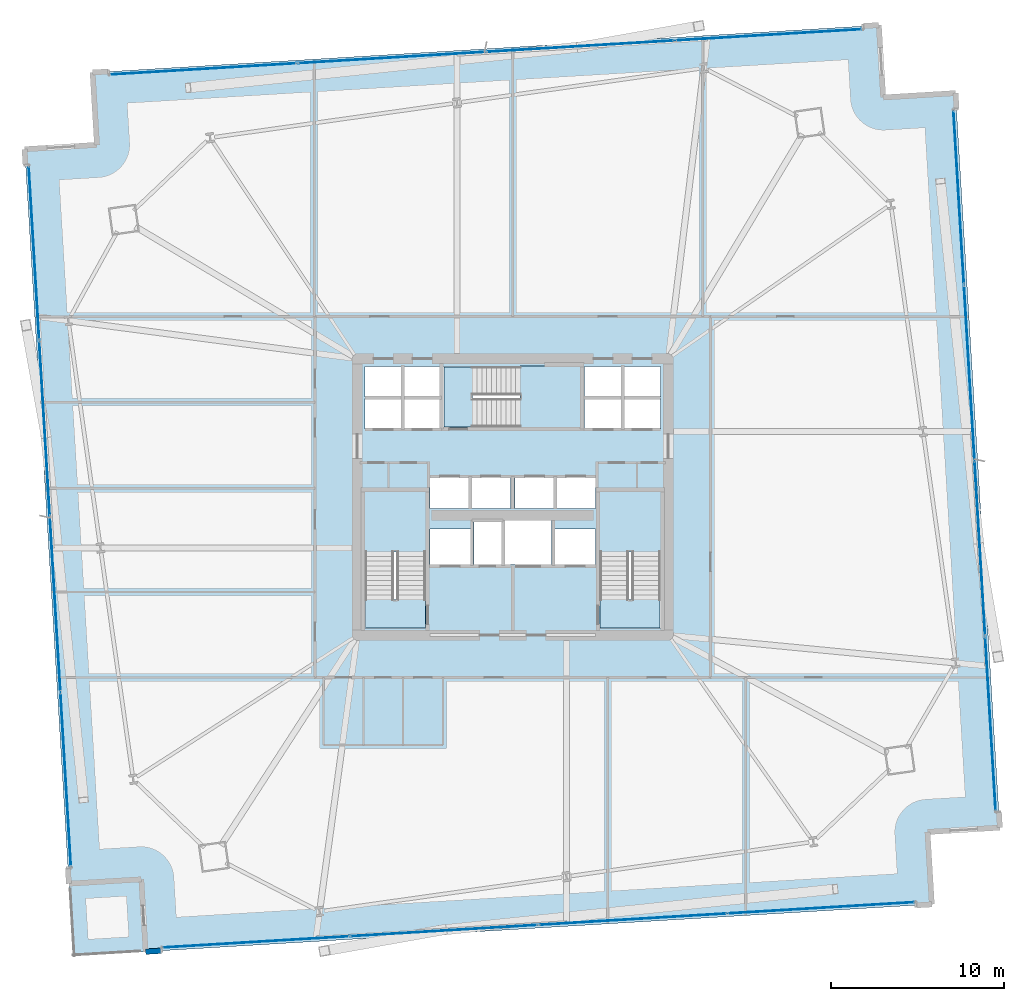
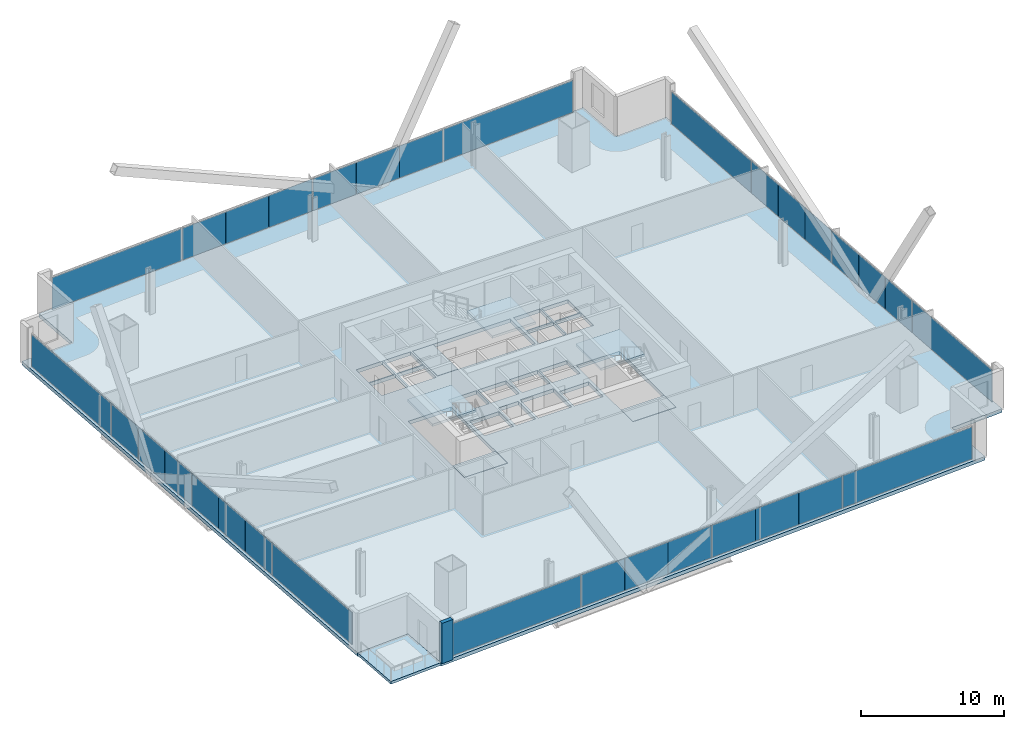
# One storey, part 25 of 34: 32 plates, 8 slabs, 1 wall, 7 elements without a shape of their own.
"""IFC4 building model written with IfcOpenShell, lengths in metres."""

from ifc_helpers import new_model, si_unit, direction, frame, frame_2d, origin, origin_2d, place, context, subcontext, project, spatial, polyline, rectangle, outline, extrude, source, transform, mapped, material, layer, layer_set, type_object, element, aggregate, save


model = new_model("IFC4")

# Units and contexts
model_context = context("Model", 3, precision=1e-05, world=origin(), true_north=direction((0.0, 1.0)))
body_context = subcontext(model_context, "Body", "Model", "MODEL_VIEW")
ifc_project = project(units=[si_unit("LENGTHUNIT", "METRE"), si_unit("AREAUNIT", "SQUARE_METRE"), si_unit("VOLUMEUNIT", "CUBIC_METRE"), si_unit("PLANEANGLEUNIT", "RADIAN"), si_unit("MASSUNIT", "GRAM", prefix="KILO")], contexts=[model_context])

# Site, building, storey
site_placement = place(None, origin())
site = spatial("IfcSite", under=ifc_project, at=site_placement, CompositionType="ELEMENT")
building_placement = place(site_placement, origin())
building = spatial("IfcBuilding", under=site, at=building_placement, Name="Haldenkirk Collegiate Tower", CompositionType="ELEMENT")
storey_placement = place(building_placement, frame((0.0, 0.0, 40.199951171875)))
storey = spatial("IfcBuildingStorey", under=building, at=storey_placement, Name="L08", CompositionType="ELEMENT", Elevation=40.199951171875)

# Slab
ifc_material_1 = material(Name="Concrete f'c 40 MPa", Category="concrete")
ifc_layer_1 = layer(ifc_material_1, 0.31005859375)
ifc_layer_set_1 = layer_set([ifc_layer_1], Name="Concrete f'c 40 MPa")
slab_type_1 = type_object("IfcSlabType", Name="SLB-FLR-310", PredefinedType="FLOOR", material=ifc_layer_set_1)
slab_1_placement = place(storey_placement, frame((0.0, 0.0, -0.31005859375)))
element("IfcSlab", 1, at=slab_1_placement, inside=storey, type_object=slab_type_1, Name="L08 composite structural floor slab", PredefinedType="FLOOR", context=body_context, shape_type="SweptSolid", body=[
    extrude(outline(polyline([(14.745849609375, -0.32666015625), (60.26318359375, 2.41748046875), (60.010498046875, 6.609619140625), (64.202880859375, 6.862548828125), (61.63916015625, 49.38525390625), (57.44677734375, 49.132568359375), (57.194091796875, 53.324951171875), (11.6767578125, 50.580810546875), (11.929443359375, 46.388427734375), (7.737060546875, 46.1357421875), (10.300537109375, 3.61279296875), (14.492919921875, 3.865478515625), (14.745849609375, -0.32666015625)]), holes=[polyline([(27.449951171875, 18.39990234375), (30.949951171875, 18.39990234375), (30.949951171875, 26.300048828125), (27.449951171875, 26.300048828125), (27.449951171875, 18.39990234375)]), polyline([(41.050048828125, 18.39990234375), (44.550048828125, 18.39990234375), (44.550048828125, 26.300048828125), (41.050048828125, 26.300048828125), (41.050048828125, 18.39990234375)]), polyline([(32.0, 30.050048828125), (39.89990234375, 30.050048828125), (39.89990234375, 33.550048828125), (32.0, 33.550048828125), (32.0, 30.050048828125)]), polyline([(33.75, 22.10009765625), (35.35009765625, 22.10009765625), (35.35009765625, 24.550048828125), (33.75, 24.550048828125), (33.75, 22.10009765625)]), polyline([(27.449951171875, 29.949951171875), (29.580078125, 29.949951171875), (29.580078125, 31.699951171875), (27.449951171875, 31.699951171875), (27.449951171875, 29.949951171875)]), polyline([(29.679931640625, 29.949951171875), (31.85009765625, 29.949951171875), (31.85009765625, 31.699951171875), (29.679931640625, 31.699951171875), (29.679931640625, 29.949951171875)]), polyline([(27.449951171875, 31.800048828125), (29.580078125, 31.800048828125), (29.580078125, 33.550048828125), (27.449951171875, 33.550048828125), (27.449951171875, 31.800048828125)]), polyline([(29.679931640625, 31.800048828125), (31.85009765625, 31.800048828125), (31.85009765625, 33.550048828125), (29.679931640625, 33.550048828125), (29.679931640625, 31.800048828125)]), polyline([(40.14990234375, 29.949951171875), (42.320068359375, 29.949951171875), (42.320068359375, 31.699951171875), (40.14990234375, 31.699951171875), (40.14990234375, 29.949951171875)]), polyline([(42.419921875, 29.949951171875), (44.550048828125, 29.949951171875), (44.550048828125, 31.699951171875), (42.419921875, 31.699951171875), (42.419921875, 29.949951171875)]), polyline([(40.14990234375, 31.800048828125), (42.320068359375, 31.800048828125), (42.320068359375, 33.550048828125), (40.14990234375, 33.550048828125), (40.14990234375, 31.800048828125)]), polyline([(42.419921875, 31.800048828125), (44.550048828125, 31.800048828125), (44.550048828125, 33.550048828125), (42.419921875, 33.550048828125), (42.419921875, 31.800048828125)]), polyline([(31.199951171875, 25.35009765625), (33.47998046875, 25.35009765625), (33.47998046875, 27.14990234375), (31.199951171875, 27.14990234375), (31.199951171875, 25.35009765625)]), polyline([(33.60009765625, 25.35009765625), (35.8798828125, 25.35009765625), (35.8798828125, 27.14990234375), (33.60009765625, 27.14990234375), (33.60009765625, 25.35009765625)]), polyline([(36.1201171875, 25.35009765625), (38.39990234375, 25.35009765625), (38.39990234375, 27.14990234375), (36.1201171875, 27.14990234375), (36.1201171875, 25.35009765625)]), polyline([(38.52001953125, 25.35009765625), (40.800048828125, 25.35009765625), (40.800048828125, 27.14990234375), (38.52001953125, 27.14990234375), (38.52001953125, 25.35009765625)]), polyline([(31.199951171875, 22.10009765625), (33.550048828125, 22.10009765625), (33.550048828125, 24.14990234375), (31.199951171875, 24.14990234375), (31.199951171875, 22.10009765625)]), polyline([(38.449951171875, 22.10009765625), (40.800048828125, 22.10009765625), (40.800048828125, 24.14990234375), (38.449951171875, 24.14990234375), (38.449951171875, 22.10009765625)]), polyline([(35.550048828125, 22.10009765625), (38.25, 22.10009765625), (38.25, 24.64990234375), (35.550048828125, 24.64990234375), (35.550048828125, 22.10009765625)])]), origin(), (0.0, 0.0, 1.0), 0.31005859375),
])

# Stair, slab
stair_type = type_object("IfcStairType", Name="STR-DOGLEG-1650", PredefinedType="HALF_TURN_STAIR", material=ifc_material_1)
stair_1_placement = place(storey_placement, origin())
stair_1 = element("IfcStair", 2, at=stair_1_placement, inside=storey, type_object=stair_type, Name="L08 Core Exit Stair ST-1", PredefinedType="HALF_TURN_STAIR")
ifc_layer_2 = layer(ifc_material_1, 0.199951171875)
ifc_layer_set_2 = layer_set([ifc_layer_2], Name="Concrete f'c 40 MPa")
slab_type_2 = type_object("IfcSlabType", Name="SLB-LANDING-200", PredefinedType="LANDING", material=ifc_layer_set_2)
slab_2_placement = place(storey_placement, frame((0.0, 0.0, 1.675048828125)))
slab_2 = element("IfcSlab", 3, at=slab_2_placement, type_object=slab_type_2, Name="ST-1 landing 1", PredefinedType="LANDING", context=body_context, shape_type="SweptSolid", body=[
    extrude(outline(polyline([(30.97509765625, 22.824951171875), (27.425048828125, 22.824951171875), (27.425048828125, 26.324951171875), (30.97509765625, 26.324951171875), (30.97509765625, 22.824951171875)])), origin(), (0.0, 0.0, 1.0), 0.199951171875),
])
aggregate(stair_1, [slab_2])

stair_2_placement = place(storey_placement, origin())
stair_2 = element("IfcStair", 4, at=stair_2_placement, inside=storey, type_object=stair_type, Name="L08 Core Exit Stair ST-2", PredefinedType="HALF_TURN_STAIR")
slab_3_placement = place(storey_placement, frame((0.0, 0.0, 1.675048828125)))
slab_3 = element("IfcSlab", 5, at=slab_3_placement, type_object=slab_type_2, Name="ST-2 landing 1", PredefinedType="LANDING", context=body_context, shape_type="SweptSolid", body=[
    extrude(outline(polyline([(44.574951171875, 22.824951171875), (41.02490234375, 22.824951171875), (41.02490234375, 26.324951171875), (44.574951171875, 26.324951171875), (44.574951171875, 22.824951171875)])), origin(), (0.0, 0.0, 1.0), 0.199951171875),
])
aggregate(stair_2, [slab_3])

stair_3_placement = place(storey_placement, origin())
stair_3 = element("IfcStair", 6, at=stair_3_placement, inside=storey, type_object=stair_type, Name="L08 Core Exit Stair ST-3", PredefinedType="HALF_TURN_STAIR")
slab_4_placement = place(storey_placement, frame((0.0, 0.0, 1.675048828125)))
slab_4 = element("IfcSlab", 7, at=slab_4_placement, type_object=slab_type_2, Name="ST-3 landing 1", PredefinedType="LANDING", context=body_context, shape_type="SweptSolid", body=[
    extrude(outline(polyline([(36.425048828125, 30.02490234375), (36.425048828125, 33.574951171875), (39.925048828125, 33.574951171875), (39.925048828125, 30.02490234375), (36.425048828125, 30.02490234375)])), origin(), (0.0, 0.0, 1.0), 0.199951171875),
])
aggregate(stair_3, [slab_4])

# Slabs
ifc_layer_3 = layer(ifc_material_1, 0.25)
ifc_layer_set_3 = layer_set([ifc_layer_3], Name="Concrete f'c 40 MPa")
slab_type_3 = type_object("IfcSlabType", Name="SLB-STAIRLAND-250", PredefinedType="LANDING", material=ifc_layer_set_3)
slab_5_placement = place(storey_placement, frame((0.0, 0.0, -0.25)))
element("IfcSlab", 8, at=slab_5_placement, inside=storey, type_object=slab_type_3, Name="L08 stair ST1 structural floor landing slab", PredefinedType="LANDING", context=body_context, shape_type="SweptSolid", body=[
    extrude(outline(polyline([(27.4599609375, 18.409912109375), (30.93994140625, 18.409912109375), (30.93994140625, 20.080078125), (27.4599609375, 20.080078125), (27.4599609375, 18.409912109375)])), origin(), (0.0, 0.0, 1.0), 0.25),
])
slab_6_placement = place(storey_placement, frame((0.0, 0.0, -0.25)))
element("IfcSlab", 9, at=slab_6_placement, inside=storey, type_object=slab_type_3, Name="L08 stair ST2 structural floor landing slab", PredefinedType="LANDING", context=body_context, shape_type="SweptSolid", body=[
    extrude(outline(polyline([(41.06005859375, 18.409912109375), (44.5400390625, 18.409912109375), (44.5400390625, 20.080078125), (41.06005859375, 20.080078125), (41.06005859375, 18.409912109375)])), origin(), (0.0, 0.0, 1.0), 0.25),
])
slab_7_placement = place(storey_placement, frame((0.0, 0.0, -0.25)))
element("IfcSlab", 10, at=slab_7_placement, inside=storey, type_object=slab_type_3, Name="L08 stair ST3 structural floor landing slab", PredefinedType="LANDING", context=body_context, shape_type="SweptSolid", body=[
    extrude(outline(polyline([(32.010009765625, 30.06005859375), (33.679931640625, 30.06005859375), (33.679931640625, 33.5400390625), (32.010009765625, 33.5400390625), (32.010009765625, 30.06005859375)])), origin(), (0.0, 0.0, 1.0), 0.25),
])
ifc_layer_4 = layer(ifc_material_1, 0.22998046875)
ifc_layer_set_4 = layer_set([ifc_layer_4], Name="Concrete f'c 40 MPa")
slab_type_4 = type_object("IfcSlabType", Name="SLB-TERR-SPIRAL-230", PredefinedType="FLOOR", material=ifc_layer_set_4)
slab_8_placement = place(storey_placement, frame((0.0, 0.0, -0.22998046875)))
element("IfcSlab", 11, at=slab_8_placement, inside=storey, type_object=slab_type_4, Name="L08 spiralling corner terrace slab", PredefinedType="FLOOR", context=body_context, shape_type="SweptSolid", body=[
    extrude(outline(polyline([(10.553466796875, -0.57958984375), (14.745849609375, -0.32666015625), (14.492919921875, 3.865478515625), (10.300537109375, 3.61279296875), (10.553466796875, -0.57958984375)])), origin(), (0.0, 0.0, 1.0), 0.22998046875),
])

# Curtain wall, plates
ifc_material_2 = material(Name="Anodised architectural bronze aluminium", Category="aluminium")
curtain_wall_type_1 = type_object("IfcCurtainWallType", Name="CW-SYS2-CONCAVE", PredefinedType="USERDEFINED", material=ifc_material_2)
curtain_wall_1_placement = place(storey_placement, origin())
curtain_wall_1 = element("IfcCurtainWall", 12, at=curtain_wall_1_placement, inside=storey, type_object=curtain_wall_type_1, Name="L08 South concave recessed bronze-anodised curtain wall", ObjectType="UNITISED CURTAIN WALL", PredefinedType="USERDEFINED")
ifc_material_3 = material(Name="Low-E argon triple insulating glass", Category="glass")
ifc_layer_5 = layer(ifc_material_3, 0.0419921875)
ifc_layer_set_5 = layer_set([ifc_layer_5], Name="Low-E argon triple insulating glass")
plate_type_1 = type_object("IfcPlateType", Name="CW-PNL-02", PredefinedType="CURTAIN_PANEL", material=ifc_layer_set_5)
shared_shape_1 = source(origin(), body_context, "Body", "SweptSolid", [
    extrude(rectangle(XDim=3.612548828125, YDim=0.0419921875, at=origin_2d()), origin(), (0.0, 0.0, 1.0), 2.740966796875),
])
plate_1_placement = place(storey_placement, frame((46.58349609375, 1.77294921875, 0.0751953125), z_axis=(0.0, 0.0, 1.0), x_axis=(-0.99818778419, -0.060175971067, 0.0)))
plate_1 = element("IfcPlate", 13, at=plate_1_placement, type_object=plate_type_1, Name="CW-02 panel 2.1a", PredefinedType="CURTAIN_PANEL", context=body_context, shape_type="MappedRepresentation", body=[
    mapped(shared_shape_1, transform((0.0, 0.0, 0.0), x_axis=(1.0, 0.0, 0.0), y_axis=(0.0, 1.0, 0.0), z_axis=(0.0, 0.0, 1.0), scale=1.0)),
])
ifc_material_4 = material(Name="Bronze-anodised insulated aluminium spandrel panel", Category="aluminium")
ifc_layer_6 = layer(ifc_material_4, 0.0419921875)
ifc_layer_set_6 = layer_set([ifc_layer_6], Name="Bronze-anodised insulated aluminium spandrel panel")
plate_type_2 = type_object("IfcPlateType", Name="CW-SPD-02", PredefinedType="CURTAIN_PANEL", material=ifc_layer_set_6)
plate_2_placement = place(storey_placement, frame((39.333984375, 1.3359375, 0.0751953125), z_axis=(0.0, 0.0, 1.0), x_axis=(-0.99818778419, -0.060175971067, 0.0)))
plate_2 = element("IfcPlate", 14, at=plate_2_placement, type_object=plate_type_2, Name="CW-02 spandrel panel 2.1c", PredefinedType="CURTAIN_PANEL", context=body_context, shape_type="MappedRepresentation", body=[
    mapped(shared_shape_1, transform((0.0, 0.0, 0.0), x_axis=(1.0, 0.0, 0.0), y_axis=(0.0, 1.0, 0.0), z_axis=(0.0, 0.0, 1.0), scale=1.0)),
])
plate_3_placement = place(storey_placement, frame((35.6533203125, 1.114013671875, 0.0751953125), z_axis=(0.0, 0.0, 1.0), x_axis=(-0.99818778419, -0.060175971067, 0.0)))
plate_3 = element("IfcPlate", 15, at=plate_3_placement, type_object=plate_type_2, Name="CW-02 spandrel panel 3.1a", PredefinedType="CURTAIN_PANEL", context=body_context, shape_type="MappedRepresentation", body=[
    mapped(shared_shape_1, transform((0.0, 0.0, 0.0), x_axis=(1.0, 0.0, 0.0), y_axis=(0.0, 1.0, 0.0), z_axis=(0.0, 0.0, 1.0), scale=1.0)),
])
plate_4_placement = place(storey_placement, frame((28.40380859375, 0.677001953125, 0.0751953125), z_axis=(0.0, 0.0, 1.0), x_axis=(-0.99818778419, -0.060175971067, 0.0)))
plate_4 = element("IfcPlate", 16, at=plate_4_placement, type_object=plate_type_2, Name="CW-02 spandrel panel 3.1c", PredefinedType="CURTAIN_PANEL", context=body_context, shape_type="MappedRepresentation", body=[
    mapped(shared_shape_1, transform((0.0, 0.0, 0.0), x_axis=(1.0, 0.0, 0.0), y_axis=(0.0, 1.0, 0.0), z_axis=(0.0, 0.0, 1.0), scale=1.0)),
])
shared_shape_2 = source(origin(), body_context, "Body", "SweptSolid", [
    extrude(rectangle(XDim=3.60009765625, YDim=0.0419921875, at=origin_2d()), origin(), (0.0, 0.0, 1.0), 2.740966796875),
])
plate_5_placement = place(storey_placement, frame((42.958740234375, 1.554443359375, 0.0751953125), z_axis=(0.0, 0.0, 1.0), x_axis=(-0.99818778419, -0.060175971067, 0.0)))
plate_5 = element("IfcPlate", 17, at=plate_5_placement, type_object=plate_type_1, Name="CW-02 panel 2.1b", PredefinedType="CURTAIN_PANEL", context=body_context, shape_type="MappedRepresentation", body=[
    mapped(shared_shape_2, transform((0.0, 0.0, 0.0), x_axis=(1.0, 0.0, 0.0), y_axis=(0.0, 1.0, 0.0), z_axis=(0.0, 0.0, 1.0), scale=1.0)),
])
plate_6_placement = place(storey_placement, frame((32.028564453125, 0.8955078125, 0.0751953125), z_axis=(0.0, 0.0, 1.0), x_axis=(-0.99818778419, -0.060175971067, 0.0)))
plate_6 = element("IfcPlate", 18, at=plate_6_placement, type_object=plate_type_2, Name="CW-02 spandrel panel 3.1b", PredefinedType="CURTAIN_PANEL", context=body_context, shape_type="MappedRepresentation", body=[
    mapped(shared_shape_2, transform((0.0, 0.0, 0.0), x_axis=(1.0, 0.0, 0.0), y_axis=(0.0, 1.0, 0.0), z_axis=(0.0, 0.0, 1.0), scale=1.0)),
])

curtain_wall_type_2 = type_object("IfcCurtainWallType", Name="CW-SYS1-CONVEX-LOW", PredefinedType="USERDEFINED", material=ifc_material_2)
curtain_wall_2_placement = place(storey_placement, origin())
curtain_wall_2 = element("IfcCurtainWall", 19, at=curtain_wall_2_placement, inside=storey, type_object=curtain_wall_type_2, Name="L08 Lower tower convex bronze-framed unitised curtain wall", ObjectType="UNITISED CURTAIN WALL", PredefinedType="USERDEFINED")
ifc_layer_7 = layer(ifc_material_3, 0.0439453125)
ifc_layer_set_7 = layer_set([ifc_layer_7], Name="Low-E argon triple insulating glass")
plate_type_3 = type_object("IfcPlateType", Name="CW-PNL-1A", PredefinedType="CURTAIN_PANEL", material=ifc_layer_set_7)
shared_shape_3 = source(origin(), body_context, "Body", "SweptSolid", [
    extrude(rectangle(XDim=10.080078125, YDim=0.0439453125, at=origin_2d()), origin(), (0.0, 0.0, 1.0), 2.73095703125),
])
plate_7_placement = place(storey_placement, frame((61.82177734375, 43.365478515625, 0.080078125), z_axis=(0.0, 0.0, 1.0), x_axis=(0.060176559466, -0.998187748718, 0.0)))
plate_7 = element("IfcPlate", 20, at=plate_7_placement, type_object=plate_type_3, Name="CW-1A panel 1.1", PredefinedType="CURTAIN_PANEL", context=body_context, shape_type="MappedRepresentation", body=[
    mapped(shared_shape_3, transform((0.0, 0.0, 0.0), x_axis=(1.0, 0.0, 0.0), y_axis=(0.0, 1.0, 0.0), z_axis=(0.0, 0.0, 1.0), scale=1.0)),
])
plate_8_placement = place(storey_placement, frame((63.660888671875, 12.86083984375, 0.080078125), z_axis=(0.0, 0.0, 1.0), x_axis=(0.060176559466, -0.998187748718, 0.0)))
plate_8 = element("IfcPlate", 21, at=plate_8_placement, type_object=plate_type_3, Name="CW-1A panel 4.1", PredefinedType="CURTAIN_PANEL", context=body_context, shape_type="MappedRepresentation", body=[
    mapped(shared_shape_3, transform((0.0, 0.0, 0.0), x_axis=(1.0, 0.0, 0.0), y_axis=(0.0, 1.0, 0.0), z_axis=(0.0, 0.0, 1.0), scale=1.0)),
])

curtain_wall_3_placement = place(storey_placement, origin())
curtain_wall_3 = element("IfcCurtainWall", 22, at=curtain_wall_3_placement, inside=storey, type_object=curtain_wall_type_2, Name="L08 Lower tower convex bronze-framed unitised curtain wall", ObjectType="UNITISED CURTAIN WALL", PredefinedType="USERDEFINED")
plate_9_placement = place(storey_placement, frame((10.117919921875, 9.6328125, 0.080078125), z_axis=(0.0, 0.0, 1.0), x_axis=(-0.06017411735, 0.99818789594, 0.0)))
plate_9 = element("IfcPlate", 23, at=plate_9_placement, type_object=plate_type_3, Name="CW-1A panel 1.1", PredefinedType="CURTAIN_PANEL", context=body_context, shape_type="MappedRepresentation", body=[
    mapped(shared_shape_3, transform((0.0, 0.0, 0.0), x_axis=(1.0, 0.0, 0.0), y_axis=(0.0, 1.0, 0.0), z_axis=(0.0, 0.0, 1.0), scale=1.0)),
])
plate_10_placement = place(storey_placement, frame((8.279052734375, 40.137451171875, 0.080078125), z_axis=(0.0, 0.0, 1.0), x_axis=(-0.06017411735, 0.99818789594, 0.0)))
plate_10 = element("IfcPlate", 24, at=plate_10_placement, type_object=plate_type_3, Name="CW-1A panel 4.1", PredefinedType="CURTAIN_PANEL", context=body_context, shape_type="MappedRepresentation", body=[
    mapped(shared_shape_3, transform((0.0, 0.0, 0.0), x_axis=(1.0, 0.0, 0.0), y_axis=(0.0, 1.0, 0.0), z_axis=(0.0, 0.0, 1.0), scale=1.0)),
])

# Plate
shared_shape_4 = source(origin(), body_context, "Body", "SweptSolid", [
    extrude(rectangle(XDim=3.36083984375, YDim=0.0439453125, at=origin_2d()), origin(), (0.0, 0.0, 1.0), 2.73095703125),
])
plate_11_placement = place(storey_placement, frame((62.23095703125, 36.577392578125, 0.080078125), z_axis=(0.0, 0.0, 1.0), x_axis=(0.060176559466, -0.998187748718, 0.0)))
plate_11 = element("IfcPlate", 25, at=plate_11_placement, type_object=plate_type_3, Name="CW-1A panel 2.1a", PredefinedType="CURTAIN_PANEL", context=body_context, shape_type="MappedRepresentation", body=[
    mapped(shared_shape_4, transform((0.0, 0.0, 0.0), x_axis=(1.0, 0.0, 0.0), y_axis=(0.0, 1.0, 0.0), z_axis=(0.0, 0.0, 1.0), scale=1.0)),
])

ifc_layer_8 = layer(ifc_material_4, 0.0439453125)
ifc_layer_set_8 = layer_set([ifc_layer_8], Name="Bronze-anodised insulated aluminium spandrel panel")
plate_type_4 = type_object("IfcPlateType", Name="CW-SPD-1A", PredefinedType="CURTAIN_PANEL", material=ifc_layer_set_8)
plate_12_placement = place(storey_placement, frame((62.6376953125, 29.830322265625, 0.080078125), z_axis=(0.0, 0.0, 1.0), x_axis=(0.060176559466, -0.998187748718, 0.0)))
plate_12 = element("IfcPlate", 26, at=plate_12_placement, type_object=plate_type_4, Name="CW-1A spandrel panel 2.1c", PredefinedType="CURTAIN_PANEL", context=body_context, shape_type="MappedRepresentation", body=[
    mapped(shared_shape_4, transform((0.0, 0.0, 0.0), x_axis=(1.0, 0.0, 0.0), y_axis=(0.0, 1.0, 0.0), z_axis=(0.0, 0.0, 1.0), scale=1.0)),
])

plate_13_placement = place(storey_placement, frame((62.8447265625, 26.395751953125, 0.080078125), z_axis=(0.0, 0.0, 1.0), x_axis=(0.060176559466, -0.998187748718, 0.0)))
plate_13 = element("IfcPlate", 27, at=plate_13_placement, type_object=plate_type_4, Name="CW-1A spandrel panel 3.1a", PredefinedType="CURTAIN_PANEL", context=body_context, shape_type="MappedRepresentation", body=[
    mapped(shared_shape_4, transform((0.0, 0.0, 0.0), x_axis=(1.0, 0.0, 0.0), y_axis=(0.0, 1.0, 0.0), z_axis=(0.0, 0.0, 1.0), scale=1.0)),
])

plate_14_placement = place(storey_placement, frame((63.251708984375, 19.64892578125, 0.080078125), z_axis=(0.0, 0.0, 1.0), x_axis=(0.060176559466, -0.998187748718, 0.0)))
plate_14 = element("IfcPlate", 28, at=plate_14_placement, type_object=plate_type_4, Name="CW-1A spandrel panel 3.1c", PredefinedType="CURTAIN_PANEL", context=body_context, shape_type="MappedRepresentation", body=[
    mapped(shared_shape_4, transform((0.0, 0.0, 0.0), x_axis=(1.0, 0.0, 0.0), y_axis=(0.0, 1.0, 0.0), z_axis=(0.0, 0.0, 1.0), scale=1.0)),
])

plate_15_placement = place(storey_placement, frame((9.708740234375, 16.4208984375, 0.080078125), z_axis=(0.0, 0.0, 1.0), x_axis=(-0.06017411735, 0.99818789594, 0.0)))
plate_15 = element("IfcPlate", 29, at=plate_15_placement, type_object=plate_type_3, Name="CW-1A panel 2.1a", PredefinedType="CURTAIN_PANEL", context=body_context, shape_type="MappedRepresentation", body=[
    mapped(shared_shape_4, transform((0.0, 0.0, 0.0), x_axis=(1.0, 0.0, 0.0), y_axis=(0.0, 1.0, 0.0), z_axis=(0.0, 0.0, 1.0), scale=1.0)),
])

plate_16_placement = place(storey_placement, frame((9.302001953125, 23.167724609375, 0.080078125), z_axis=(0.0, 0.0, 1.0), x_axis=(-0.06017411735, 0.99818789594, 0.0)))
plate_16 = element("IfcPlate", 30, at=plate_16_placement, type_object=plate_type_4, Name="CW-1A spandrel panel 2.1c", PredefinedType="CURTAIN_PANEL", context=body_context, shape_type="MappedRepresentation", body=[
    mapped(shared_shape_4, transform((0.0, 0.0, 0.0), x_axis=(1.0, 0.0, 0.0), y_axis=(0.0, 1.0, 0.0), z_axis=(0.0, 0.0, 1.0), scale=1.0)),
])

plate_17_placement = place(storey_placement, frame((9.094970703125, 26.602294921875, 0.080078125), z_axis=(0.0, 0.0, 1.0), x_axis=(-0.06017411735, 0.99818789594, 0.0)))
plate_17 = element("IfcPlate", 31, at=plate_17_placement, type_object=plate_type_4, Name="CW-1A spandrel panel 3.1a", PredefinedType="CURTAIN_PANEL", context=body_context, shape_type="MappedRepresentation", body=[
    mapped(shared_shape_4, transform((0.0, 0.0, 0.0), x_axis=(1.0, 0.0, 0.0), y_axis=(0.0, 1.0, 0.0), z_axis=(0.0, 0.0, 1.0), scale=1.0)),
])

plate_18_placement = place(storey_placement, frame((8.688232421875, 33.349365234375, 0.080078125), z_axis=(0.0, 0.0, 1.0), x_axis=(-0.06017411735, 0.99818789594, 0.0)))
plate_18 = element("IfcPlate", 32, at=plate_18_placement, type_object=plate_type_4, Name="CW-1A spandrel panel 3.1c", PredefinedType="CURTAIN_PANEL", context=body_context, shape_type="MappedRepresentation", body=[
    mapped(shared_shape_4, transform((0.0, 0.0, 0.0), x_axis=(1.0, 0.0, 0.0), y_axis=(0.0, 1.0, 0.0), z_axis=(0.0, 0.0, 1.0), scale=1.0)),
])

shared_shape_5 = source(origin(), body_context, "Body", "SweptSolid", [
    extrude(rectangle(XDim=3.348388671875, YDim=0.0439453125, at=origin_2d()), origin(), (0.0, 0.0, 1.0), 2.73095703125),
])
plate_19_placement = place(storey_placement, frame((62.434326171875, 33.203857421875, 0.080078125), z_axis=(0.0, 0.0, 1.0), x_axis=(0.060176559466, -0.998187748718, 0.0)))
plate_19 = element("IfcPlate", 33, at=plate_19_placement, type_object=plate_type_3, Name="CW-1A panel 2.1b", PredefinedType="CURTAIN_PANEL", context=body_context, shape_type="MappedRepresentation", body=[
    mapped(shared_shape_5, transform((0.0, 0.0, 0.0), x_axis=(1.0, 0.0, 0.0), y_axis=(0.0, 1.0, 0.0), z_axis=(0.0, 0.0, 1.0), scale=1.0)),
])

plate_20_placement = place(storey_placement, frame((63.048095703125, 23.0224609375, 0.080078125), z_axis=(0.0, 0.0, 1.0), x_axis=(0.060176559466, -0.998187748718, 0.0)))
plate_20 = element("IfcPlate", 34, at=plate_20_placement, type_object=plate_type_4, Name="CW-1A spandrel panel 3.1b", PredefinedType="CURTAIN_PANEL", context=body_context, shape_type="MappedRepresentation", body=[
    mapped(shared_shape_5, transform((0.0, 0.0, 0.0), x_axis=(1.0, 0.0, 0.0), y_axis=(0.0, 1.0, 0.0), z_axis=(0.0, 0.0, 1.0), scale=1.0)),
])

aggregate(curtain_wall_2, [plate_7, plate_11, plate_19, plate_12, plate_13, plate_20, plate_14, plate_8])

plate_21_placement = place(storey_placement, frame((9.50537109375, 19.79443359375, 0.080078125), z_axis=(0.0, 0.0, 1.0), x_axis=(-0.06017411735, 0.99818789594, 0.0)))
plate_21 = element("IfcPlate", 35, at=plate_21_placement, type_object=plate_type_3, Name="CW-1A panel 2.1b", PredefinedType="CURTAIN_PANEL", context=body_context, shape_type="MappedRepresentation", body=[
    mapped(shared_shape_5, transform((0.0, 0.0, 0.0), x_axis=(1.0, 0.0, 0.0), y_axis=(0.0, 1.0, 0.0), z_axis=(0.0, 0.0, 1.0), scale=1.0)),
])

plate_22_placement = place(storey_placement, frame((8.8916015625, 29.975830078125, 0.080078125), z_axis=(0.0, 0.0, 1.0), x_axis=(-0.06017411735, 0.99818789594, 0.0)))
plate_22 = element("IfcPlate", 36, at=plate_22_placement, type_object=plate_type_4, Name="CW-1A spandrel panel 3.1b", PredefinedType="CURTAIN_PANEL", context=body_context, shape_type="MappedRepresentation", body=[
    mapped(shared_shape_5, transform((0.0, 0.0, 0.0), x_axis=(1.0, 0.0, 0.0), y_axis=(0.0, 1.0, 0.0), z_axis=(0.0, 0.0, 1.0), scale=1.0)),
])

aggregate(curtain_wall_3, [plate_9, plate_15, plate_21, plate_16, plate_17, plate_22, plate_18, plate_10])

# Curtain wall, plates
curtain_wall_4_placement = place(storey_placement, origin())
curtain_wall_4 = element("IfcCurtainWall", 37, at=curtain_wall_4_placement, inside=storey, type_object=curtain_wall_type_2, Name="L08 Lower tower convex bronze-framed unitised curtain wall", ObjectType="UNITISED CURTAIN WALL", PredefinedType="USERDEFINED")
shared_shape_6 = source(origin(), body_context, "Body", "SweptSolid", [
    extrude(rectangle(XDim=10.830078125, YDim=0.0439453125, at=origin_2d()), origin(), (0.0, 0.0, 1.0), 2.73095703125),
])
plate_23_placement = place(storey_placement, frame((18.071044921875, 50.785888671875, 0.080078125), z_axis=(0.0, 0.0, 1.0), x_axis=(0.998187792458, 0.060175833924, 0.0)))
plate_23 = element("IfcPlate", 38, at=plate_23_placement, type_object=plate_type_3, Name="CW-1A panel 1.1", PredefinedType="CURTAIN_PANEL", context=body_context, shape_type="MappedRepresentation", body=[
    mapped(shared_shape_6, transform((0.0, 0.0, 0.0), x_axis=(1.0, 0.0, 0.0), y_axis=(0.0, 1.0, 0.0), z_axis=(0.0, 0.0, 1.0), scale=1.0)),
])
plate_24_placement = place(storey_placement, frame((50.821533203125, 52.76025390625, 0.080078125), z_axis=(0.0, 0.0, 1.0), x_axis=(0.998187792458, 0.060175833924, 0.0)))
plate_24 = element("IfcPlate", 39, at=plate_24_placement, type_object=plate_type_3, Name="CW-1A panel 4.1", PredefinedType="CURTAIN_PANEL", context=body_context, shape_type="MappedRepresentation", body=[
    mapped(shared_shape_6, transform((0.0, 0.0, 0.0), x_axis=(1.0, 0.0, 0.0), y_axis=(0.0, 1.0, 0.0), z_axis=(0.0, 0.0, 1.0), scale=1.0)),
])
shared_shape_7 = source(origin(), body_context, "Body", "SweptSolid", [
    extrude(rectangle(XDim=3.61083984375, YDim=0.0439453125, at=origin_2d()), origin(), (0.0, 0.0, 1.0), 2.73095703125),
])
plate_25_placement = place(storey_placement, frame((25.358154296875, 51.225341796875, 0.080078125), z_axis=(0.0, 0.0, 1.0), x_axis=(0.998187792458, 0.060175833924, 0.0)))
plate_25 = element("IfcPlate", 40, at=plate_25_placement, type_object=plate_type_3, Name="CW-1A panel 2.1a", PredefinedType="CURTAIN_PANEL", context=body_context, shape_type="MappedRepresentation", body=[
    mapped(shared_shape_7, transform((0.0, 0.0, 0.0), x_axis=(1.0, 0.0, 0.0), y_axis=(0.0, 1.0, 0.0), z_axis=(0.0, 0.0, 1.0), scale=1.0)),
])
plate_26_placement = place(storey_placement, frame((32.60400390625, 51.662109375, 0.080078125), z_axis=(0.0, 0.0, 1.0), x_axis=(0.998187792458, 0.060175833924, 0.0)))
plate_26 = element("IfcPlate", 41, at=plate_26_placement, type_object=plate_type_4, Name="CW-1A spandrel panel 2.1c", PredefinedType="CURTAIN_PANEL", context=body_context, shape_type="MappedRepresentation", body=[
    mapped(shared_shape_7, transform((0.0, 0.0, 0.0), x_axis=(1.0, 0.0, 0.0), y_axis=(0.0, 1.0, 0.0), z_axis=(0.0, 0.0, 1.0), scale=1.0)),
])
plate_27_placement = place(storey_placement, frame((36.288330078125, 51.88427734375, 0.080078125), z_axis=(0.0, 0.0, 1.0), x_axis=(0.998187792458, 0.060175833924, 0.0)))
plate_27 = element("IfcPlate", 42, at=plate_27_placement, type_object=plate_type_4, Name="CW-1A spandrel panel 3.1a", PredefinedType="CURTAIN_PANEL", context=body_context, shape_type="MappedRepresentation", body=[
    mapped(shared_shape_7, transform((0.0, 0.0, 0.0), x_axis=(1.0, 0.0, 0.0), y_axis=(0.0, 1.0, 0.0), z_axis=(0.0, 0.0, 1.0), scale=1.0)),
])
plate_28_placement = place(storey_placement, frame((43.5341796875, 52.321044921875, 0.080078125), z_axis=(0.0, 0.0, 1.0), x_axis=(0.998187792458, 0.060175833924, 0.0)))
plate_28 = element("IfcPlate", 43, at=plate_28_placement, type_object=plate_type_4, Name="CW-1A spandrel panel 3.1c", PredefinedType="CURTAIN_PANEL", context=body_context, shape_type="MappedRepresentation", body=[
    mapped(shared_shape_7, transform((0.0, 0.0, 0.0), x_axis=(1.0, 0.0, 0.0), y_axis=(0.0, 1.0, 0.0), z_axis=(0.0, 0.0, 1.0), scale=1.0)),
])
shared_shape_8 = source(origin(), body_context, "Body", "SweptSolid", [
    extrude(rectangle(XDim=3.598388671875, YDim=0.0439453125, at=origin_2d()), origin(), (0.0, 0.0, 1.0), 2.73095703125),
])
plate_29_placement = place(storey_placement, frame((28.981201171875, 51.443603515625, 0.080078125), z_axis=(0.0, 0.0, 1.0), x_axis=(0.998187792458, 0.060175833924, 0.0)))
plate_29 = element("IfcPlate", 44, at=plate_29_placement, type_object=plate_type_3, Name="CW-1A panel 2.1b", PredefinedType="CURTAIN_PANEL", context=body_context, shape_type="MappedRepresentation", body=[
    mapped(shared_shape_8, transform((0.0, 0.0, 0.0), x_axis=(1.0, 0.0, 0.0), y_axis=(0.0, 1.0, 0.0), z_axis=(0.0, 0.0, 1.0), scale=1.0)),
])
plate_30_placement = place(storey_placement, frame((39.911376953125, 52.1025390625, 0.080078125), z_axis=(0.0, 0.0, 1.0), x_axis=(0.998187792458, 0.060175833924, 0.0)))
plate_30 = element("IfcPlate", 45, at=plate_30_placement, type_object=plate_type_4, Name="CW-1A spandrel panel 3.1b", PredefinedType="CURTAIN_PANEL", context=body_context, shape_type="MappedRepresentation", body=[
    mapped(shared_shape_8, transform((0.0, 0.0, 0.0), x_axis=(1.0, 0.0, 0.0), y_axis=(0.0, 1.0, 0.0), z_axis=(0.0, 0.0, 1.0), scale=1.0)),
])
aggregate(curtain_wall_4, [plate_23, plate_25, plate_29, plate_26, plate_27, plate_30, plate_28, plate_24])

# Plate
shared_shape_9 = source(origin(), body_context, "Body", "SweptSolid", [
    extrude(rectangle(XDim=10.83740234375, YDim=0.0419921875, at=origin_2d()), origin(), (0.0, 0.0, 1.0), 2.740966796875),
])
plate_31_placement = place(storey_placement, frame((53.8701171875, 2.21240234375, 0.0751953125), z_axis=(0.0, 0.0, 1.0), x_axis=(-0.99818778419, -0.060175971067, 0.0)))
plate_31 = element("IfcPlate", 46, at=plate_31_placement, type_object=plate_type_1, Name="CW-02 panel 1.1", PredefinedType="CURTAIN_PANEL", context=body_context, shape_type="MappedRepresentation", body=[
    mapped(shared_shape_9, transform((0.0, 0.0, 0.0), x_axis=(1.0, 0.0, 0.0), y_axis=(0.0, 1.0, 0.0), z_axis=(0.0, 0.0, 1.0), scale=1.0)),
])

plate_32_placement = place(storey_placement, frame((21.1171875, 0.23779296875, 0.0751953125), z_axis=(0.0, 0.0, 1.0), x_axis=(-0.99818778419, -0.060175971067, 0.0)))
plate_32 = element("IfcPlate", 47, at=plate_32_placement, type_object=plate_type_1, Name="CW-02 panel 4.1", PredefinedType="CURTAIN_PANEL", context=body_context, shape_type="MappedRepresentation", body=[
    mapped(shared_shape_9, transform((0.0, 0.0, 0.0), x_axis=(1.0, 0.0, 0.0), y_axis=(0.0, 1.0, 0.0), z_axis=(0.0, 0.0, 1.0), scale=1.0)),
])

aggregate(curtain_wall_1, [plate_31, plate_1, plate_5, plate_2, plate_3, plate_6, plate_4, plate_32])

# Wall
ifc_material_5 = material(Name="Precast concrete f'c 40 MPa", Category="concrete")
ifc_layer_9 = layer(ifc_material_5, 0.320068359375)
ifc_layer_set_9 = layer_set([ifc_layer_9], Name="Precast concrete f'c 40 MPa")
wall_type = type_object("IfcWallType", Name="WL-EXT-TWR-320", PredefinedType="STANDARD", material=ifc_layer_set_9)
wall_placement = place(storey_placement, frame((15.644287109375, -0.2724609375, 0.0), z_axis=(0.0, 0.0, 1.0), x_axis=(-0.998185333119, -0.060216615204, 0.0)))
element("IfcWall", 48, at=wall_placement, inside=storey, type_object=wall_type, Name="L08 precast corner pier SR", PredefinedType="STANDARD", context=body_context, shape_type="SweptSolid", body=[
    extrude(rectangle(XDim=0.900146484375, YDim=0.320068359375, at=frame_2d((0.4501953125, 0.0))), origin(), (0.0, 0.0, 1.0), 3.43994140625),
])

save(model, "model.ifc")
